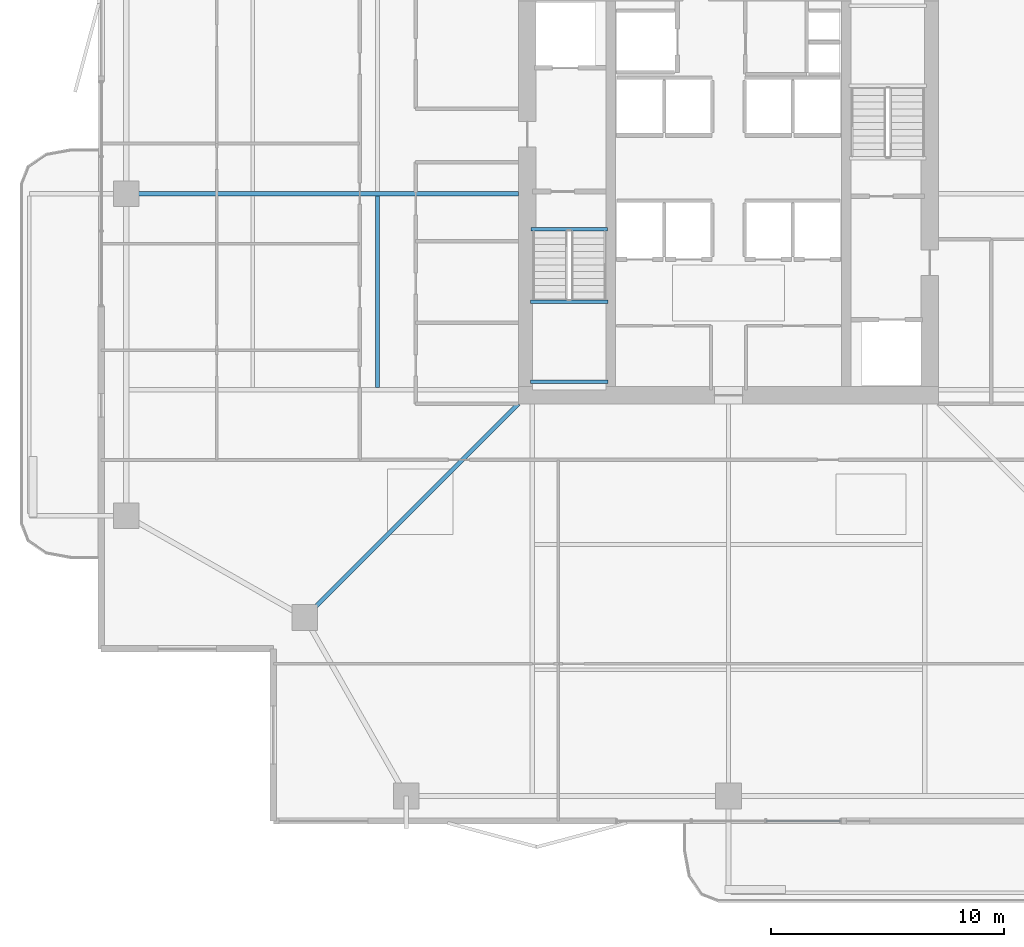
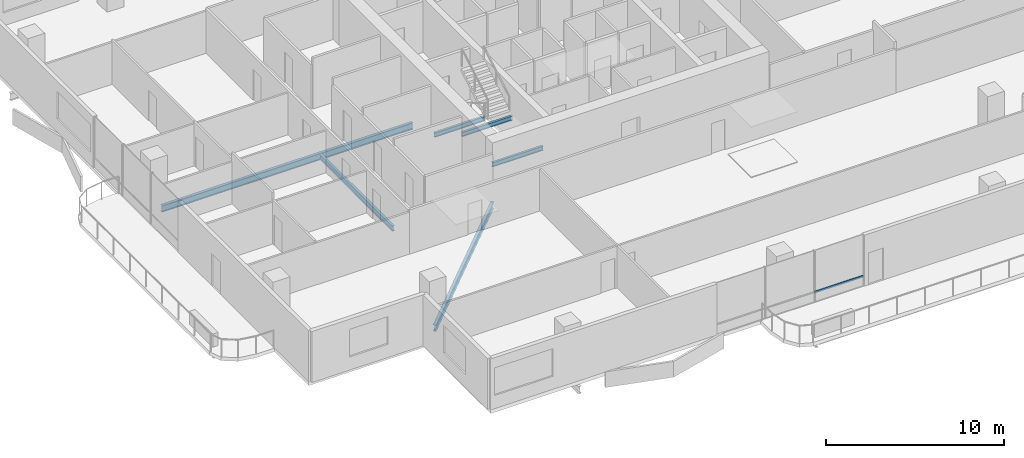
# One storey, part 5 of 24: 6 beams, 1 member, 1 element without a shape of its own.
"""IFC4 building model written with IfcOpenShell, lengths in metres."""

from ifc_helpers import new_model, si_unit, direction, frame, origin, origin_2d, place, context, subcontext, project, spatial, hollow_rectangle, i_section, extrude, material, layer, layer_set, material_profile, profile_set, type_object, element, aggregate, save


model = new_model("IFC4")

# Units and contexts
model_context = context("Model", 3, precision=1e-05, world=origin(), true_north=direction((0.0, 1.0)))
body_context = subcontext(model_context, "Body", "Model", "MODEL_VIEW")
ifc_project = project(units=[si_unit("LENGTHUNIT", "METRE"), si_unit("AREAUNIT", "SQUARE_METRE"), si_unit("VOLUMEUNIT", "CUBIC_METRE"), si_unit("PLANEANGLEUNIT", "RADIAN"), si_unit("MASSUNIT", "GRAM", prefix="KILO")], contexts=[model_context])

# Site, building, storey
site_placement = place(None, origin())
site = spatial("IfcSite", under=ifc_project, at=site_placement, CompositionType="ELEMENT")
building_placement = place(site_placement, origin())
building = spatial("IfcBuilding", under=site, at=building_placement, Name="Belovzor Exchange Tower", CompositionType="ELEMENT")
storey_placement = place(building_placement, frame((0.0, 0.0, 214.949951171875)))
storey = spatial("IfcBuildingStorey", under=building, at=storey_placement, Name="L53", CompositionType="ELEMENT", Elevation=214.949951171875)

# Beams
ifc_material_1 = material(Name="Steel S355", Category="steel")
ifc_material_profile_1 = material_profile(ifc_material_1, i_section(OverallWidth=0.169921875, OverallDepth=0.360107421875, WebThickness=0.008056640625, FlangeThickness=0.0126953125, at=origin_2d()))
ifc_profile_set_1 = profile_set([ifc_material_profile_1], Name="Steel S355")
beam_type_1 = type_object("IfcBeamType", Name="Secondary Infill Floor Joist IPE 360", PredefinedType="BEAM", material=ifc_profile_set_1)
beam_1_placement = place(storey_placement, frame((13.77197265625, 20.4951171875, -0.429931640625), z_axis=(0.0, 1.0, 0.0), x_axis=(-1.0, 0.0, 0.0)))
element("IfcBeam", 1, at=beam_1_placement, inside=storey, type_object=beam_type_1, Name="FJ-360 Secondary Infill Floor Joist IPE 360", PredefinedType="BEAM", context=body_context, shape_type="SweptSolid", body=[
    extrude(i_section(OverallWidth=0.169921875, OverallDepth=0.360107421875, WebThickness=0.008056640625, FlangeThickness=0.0126953125, at=origin_2d()), origin(), (0.0, 0.0, 1.0), 8.2099609375),
])
ifc_material_2 = material(Name="Steel S355", Category="steel")
ifc_material_profile_2 = material_profile(ifc_material_2, i_section(OverallWidth=0.14990234375, OverallDepth=0.300048828125, WebThickness=0.007080078125, FlangeThickness=0.0107421875, at=origin_2d()))
ifc_profile_set_2 = profile_set([ifc_material_profile_2], Name="Steel S355")
beam_type_2 = type_object("IfcBeamType", Name="Secondary Trim Floor Joist IPE 300", PredefinedType="BEAM", material=ifc_profile_set_2)
for number, where, z_axis, x_axis, name in (
    (2, (20.320068359375, 24.179931640625, 1.525146484375), (1.0, 0.0, 0.0), (0.0, 1.0, 0.0), "FJ-300 Secondary Trim Floor Joist IPE 300"),
    (3, (20.320068359375, 20.75, 1.525146484375), (1.0, 0.0, 0.0), (0.0, 1.0, 0.0), "FJ-300 Secondary Trim Floor Joist IPE 300"),
):
    element("IfcBeam", number, at=place(storey_placement, frame(where, z_axis=z_axis, x_axis=x_axis)), inside=storey, type_object=beam_type_2, Name=name, PredefinedType="BEAM", context=body_context, shape_type="SweptSolid", body=[
        extrude(i_section(OverallWidth=0.14990234375, OverallDepth=0.300048828125, WebThickness=0.007080078125, FlangeThickness=0.0107421875, at=origin_2d()), origin(), (0.0, 0.0, 1.0), 3.309814453125),
    ])
beam_2_placement = place(storey_placement, frame((20.340087890625, 27.280029296875, -0.39990234375), z_axis=(1.0, 0.0, 0.0), x_axis=(0.0, 1.0, 0.0)))
element("IfcBeam", 4, at=beam_2_placement, inside=storey, type_object=beam_type_2, Name="FJ-300 Secondary Trim Floor Joist IPE 300", PredefinedType="BEAM", context=body_context, shape_type="SweptSolid", body=[
    extrude(i_section(OverallWidth=0.14990234375, OverallDepth=0.300048828125, WebThickness=0.007080078125, FlangeThickness=0.0107421875, at=origin_2d()), origin(), (0.0, 0.0, 1.0), 3.27001953125),
])

# Curtain wall, member
ifc_material_3 = material(Name="Anodised Aluminium Framing", Category="aluminium")
ifc_layer = layer(ifc_material_3, 0.179931640625)
ifc_layer_set = layer_set([ifc_layer], Name="Anodised Aluminium Framing")
curtain_wall_type = type_object("IfcCurtainWallType", Name="Recessed Loggia Low-Iron Triple-Glazed Curtain Wall", PredefinedType="NOTDEFINED", material=ifc_layer_set)
curtain_wall_placement = place(storey_placement, origin())
curtain_wall = element("IfcCurtainWall", 5, at=curtain_wall_placement, inside=storey, type_object=curtain_wall_type, Name="CW3 Recessed Loggia Low-Iron Triple-Glazed Curtain Wall L53", PredefinedType="NOTDEFINED")
ifc_material_4 = material(Name="Steel S355", Category="steel")
ifc_material_profile_3 = material_profile(ifc_material_4, hollow_rectangle(XDim=0.06005859375, YDim=0.14990234375, WallThickness=0.00390625, at=origin_2d()))
ifc_profile_set_3 = profile_set([ifc_material_profile_3], Name="Steel S355")
member_type = type_object("IfcMemberType", Name="Thermally Broken Curtain Wall Transom 150x60", PredefinedType="USERDEFINED", material=ifc_profile_set_3)
member_placement = place(storey_placement, frame((33.592041015625, 1.929931640625, 0.630126953125), z_axis=(-1.0, 0.0, 0.0), x_axis=(0.0, -1.0, 0.0)))
member = element("IfcMember", 6, at=member_placement, type_object=member_type, Name="CW-T150 Curtain Wall Transom 1", ObjectType="TRANSOM", PredefinedType="USERDEFINED", context=body_context, shape_type="SweptSolid", body=[
    extrude(hollow_rectangle(XDim=0.06005859375, YDim=0.14990234375, WallThickness=0.00390625, at=origin_2d()), origin(), (0.0, 0.0, 1.0), 3.18408203125),
])
aggregate(curtain_wall, [member])

# Beams
ifc_material_5 = material(Name="Steel S355", Category="steel")
ifc_material_profile_4 = material_profile(ifc_material_5, i_section(OverallWidth=0.18994140625, OverallDepth=0.449951171875, WebThickness=0.009521484375, FlangeThickness=0.0146484375, at=origin_2d()))
ifc_profile_set_4 = profile_set([ifc_material_profile_4], Name="Steel S355")
beam_type_3 = type_object("IfcBeamType", Name="Zone 2-4 Radial Composite Floor Beam IPE 450", PredefinedType="BEAM", material=ifc_profile_set_4)
beam_3_placement = place(storey_placement, frame((19.800048828125, 28.800048828125, -0.474853515625), z_axis=(-1.0, 0.0, 0.0), x_axis=(0.0, -1.0, 0.0)))
element("IfcBeam", 7, at=beam_3_placement, inside=storey, type_object=beam_type_3, Name="FB-450 Zone 2-4 Radial Composite Floor Beam IPE 450", PredefinedType="BEAM", context=body_context, shape_type="SweptSolid", body=[
    extrude(i_section(OverallWidth=0.18994140625, OverallDepth=0.449951171875, WebThickness=0.009521484375, FlangeThickness=0.0146484375, at=origin_2d()), origin(), (0.0, 0.0, 1.0), 16.316162109375),
])
beam_4_placement = place(storey_placement, frame((19.800048828125, 19.800048828125, -0.474853515625), z_axis=(-0.707106781187, -0.707106781187, 0.0), x_axis=(0.707106781187, -0.707106781187, 0.0)))
element("IfcBeam", 8, at=beam_4_placement, inside=storey, type_object=beam_type_3, Name="FB-450 Zone 2-4 Radial Composite Floor Beam IPE 450", PredefinedType="BEAM", context=body_context, shape_type="SweptSolid", body=[
    extrude(i_section(OverallWidth=0.18994140625, OverallDepth=0.449951171875, WebThickness=0.009521484375, FlangeThickness=0.0146484375, at=origin_2d()), origin(), (0.0, 0.0, 1.0), 12.551025390625),
])

save(model, "model.ifc")
